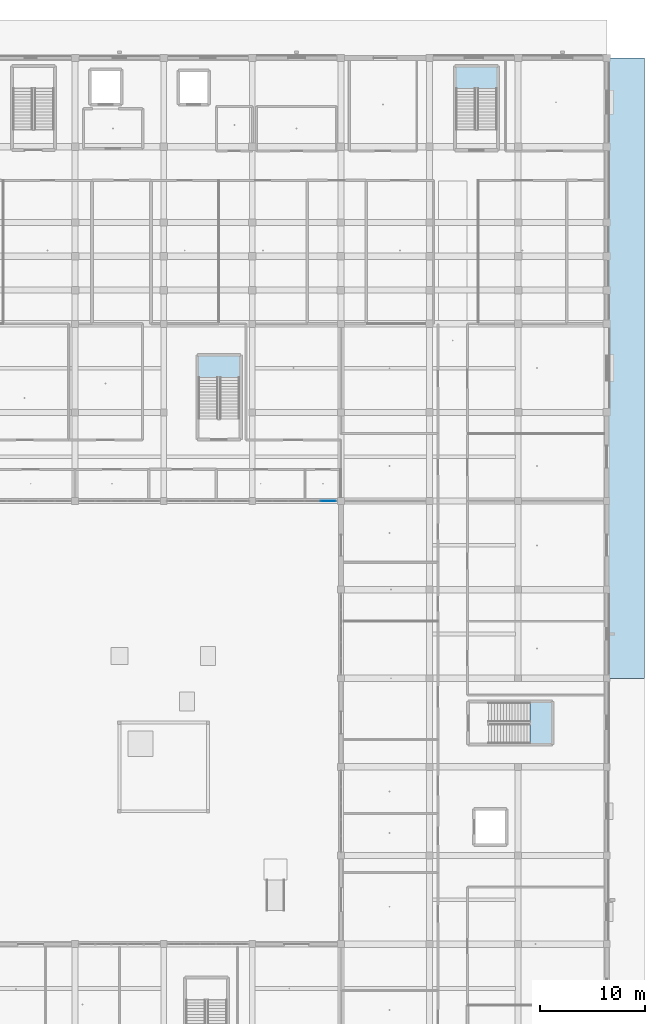
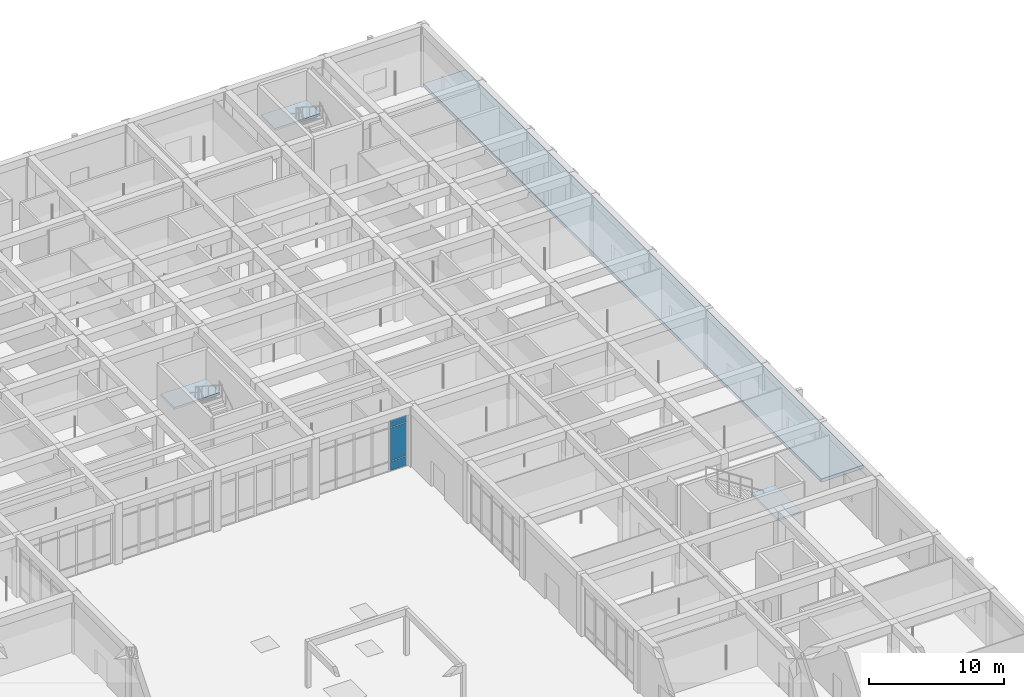
# One storey, part 59 of 167: 4 slabs, 3 plates, 4 elements without a shape of their own.
"""IFC4 building model written with IfcOpenShell, lengths in metres."""

from ifc_helpers import new_model, si_unit, direction, frame, origin, origin_2d, place, context, subcontext, project, spatial, polyline, rectangle, outline, extrude, material, layer, layer_set, type_object, element, aggregate, save


model = new_model("IFC4")

# Units and contexts
model_context = context("Model", 3, precision=1e-05, world=origin(), true_north=direction((0.0, 1.0)))
body_context = subcontext(model_context, "Body", "Model", "MODEL_VIEW")
ifc_project = project(units=[si_unit("LENGTHUNIT", "METRE"), si_unit("AREAUNIT", "SQUARE_METRE"), si_unit("VOLUMEUNIT", "CUBIC_METRE"), si_unit("PLANEANGLEUNIT", "RADIAN"), si_unit("MASSUNIT", "GRAM", prefix="KILO")], contexts=[model_context])

# Site, building, storey
site_placement = place(None, origin())
site = spatial("IfcSite", under=ifc_project, at=site_placement, CompositionType="ELEMENT")
building_placement = place(site_placement, origin())
building = spatial("IfcBuilding", under=site, at=building_placement, Name="Varncliffe General Hospital", CompositionType="ELEMENT")
storey_placement = place(building_placement, origin())
storey = spatial("IfcBuildingStorey", under=building, at=storey_placement, Name="L00", CompositionType="ELEMENT", Elevation=0.0)

# Curtain wall, plates
ifc_material_1 = material(Name="Triple low-E argon insulated vision glazing", Category="glass")
curtain_wall_type = type_object("IfcCurtainWallType", Name="Unitised Glazed Curtain Wall CW26 (7594x4640)", PredefinedType="USERDEFINED", material=ifc_material_1)
curtain_wall_placement = place(storey_placement, origin())
curtain_wall = element("IfcCurtainWall", 1, at=curtain_wall_placement, inside=storey, type_object=curtain_wall_type, Name="L00 Glazed Curtain Wall CW26-32", ObjectType="GLAZED CURTAIN WALL", PredefinedType="USERDEFINED")
ifc_layer_1 = layer(ifc_material_1, 0.0439453125)
ifc_layer_set_1 = layer_set([ifc_layer_1], Name="Triple low-E argon insulated vision glazing")
plate_type = type_object("IfcPlateType", Name="Curtain Wall Glazing Panel CP12 (44mm)", PredefinedType="CURTAIN_PANEL", material=ifc_layer_set_1)
plate_1_placement = place(storey_placement, frame((150.021240234375, 82.800048828125, 0.06005859375), z_axis=(0.0, 0.0, 1.0), x_axis=(-1.0, 0.0, 0.0)))
plate_1 = element("IfcPlate", 2, at=plate_1_placement, type_object=plate_type, Name="CW26 panel 1.1", PredefinedType="CURTAIN_PANEL", context=body_context, shape_type="SweptSolid", body=[
    extrude(rectangle(XDim=1.42138671875, YDim=0.0439453125, at=origin_2d()), origin(), (0.0, 0.0, 1.0), 0.81005859375),
])
plate_2_placement = place(storey_placement, frame((150.021240234375, 82.800048828125, 0.929931640625), z_axis=(0.0, 0.0, 1.0), x_axis=(-1.0, 0.0, 0.0)))
plate_2 = element("IfcPlate", 3, at=plate_2_placement, type_object=plate_type, Name="CW26 panel 1.2", PredefinedType="CURTAIN_PANEL", context=body_context, shape_type="SweptSolid", body=[
    extrude(rectangle(XDim=1.42138671875, YDim=0.0439453125, at=origin_2d()), origin(), (0.0, 0.0, 1.0), 2.97998046875),
])
plate_3_placement = place(storey_placement, frame((150.021240234375, 82.800048828125, 3.9697265625), z_axis=(0.0, 0.0, 1.0), x_axis=(-1.0, 0.0, 0.0)))
plate_3 = element("IfcPlate", 4, at=plate_3_placement, type_object=plate_type, Name="CW26 panel 1.3", PredefinedType="CURTAIN_PANEL", context=body_context, shape_type="SweptSolid", body=[
    extrude(rectangle(XDim=1.42138671875, YDim=0.0439453125, at=origin_2d()), origin(), (0.0, 0.0, 1.0), 0.610107421875),
])
aggregate(curtain_wall, [plate_1, plate_2, plate_3])

# Slab
ifc_material_2 = material(Name="Concrete C35/45 (CSA A23.1 35 MPa)", Category="concrete")
ifc_layer_2 = layer(ifc_material_2, 0.300048828125)
ifc_layer_set_2 = layer_set([ifc_layer_2], Name="Concrete C35/45 (CSA A23.1 35 MPa)")
slab_type_1 = type_object("IfcSlabType", Name="Floor Slab SL54 (Ext 300mm)", PredefinedType="FLOOR", material=ifc_layer_set_2)
slab_1_placement = place(storey_placement, frame((0.0, 0.0, -0.300048828125)))
element("IfcSlab", 5, at=slab_1_placement, inside=storey, type_object=slab_type_1, Name="L00 East Cloister North Street Walkway", PredefinedType="FLOOR", context=body_context, shape_type="SweptSolid", body=[
    extrude(outline(polyline([(176.39990234375, 66.0), (180.0, 66.0), (180.0, 124.800048828125), (176.39990234375, 124.800048828125), (176.39990234375, 66.0)])), origin(), (0.0, 0.0, 1.0), 0.300048828125),
])

# Stair, slab
stair_type = type_object("IfcStairType", Name="Hospital Stair Assembly ST-T02 (1850w-5400h)", PredefinedType="TWO_STRAIGHT_RUN_STAIR", material=ifc_material_2)
stair_1_placement = place(storey_placement, origin())
stair_1 = element("IfcStair", 6, at=stair_1_placement, inside=storey, type_object=stair_type, Name="L00 North-East Ward Exit Stair 4", PredefinedType="TWO_STRAIGHT_RUN_STAIR")
ifc_layer_3 = layer(ifc_material_2, 0.199951171875)
ifc_layer_set_3 = layer_set([ifc_layer_3], Name="Concrete C35/45 (CSA A23.1 35 MPa)")
slab_type_2 = type_object("IfcSlabType", Name="Reinforced Concrete Stair Landing LND50 (200mm)", PredefinedType="LANDING", material=ifc_layer_set_3)
slab_2_placement = place(storey_placement, frame((0.0, 0.0, 2.5)))
slab_2 = element("IfcSlab", 7, at=slab_2_placement, type_object=slab_type_2, Name="ST04 landing 1", PredefinedType="LANDING", context=body_context, shape_type="SweptSolid", body=[
    extrude(outline(polyline([(166.0, 121.919921875), (166.0, 123.949951171875), (162.10009765625, 123.949951171875), (162.10009765625, 121.919921875), (166.0, 121.919921875)])), origin(), (0.0, 0.0, 1.0), 0.199951171875),
])
aggregate(stair_1, [slab_2])

stair_2_placement = place(storey_placement, origin())
stair_2 = element("IfcStair", 8, at=stair_2_placement, inside=storey, type_object=stair_type, Name="L00 Outpatient East Exit Stair 7", PredefinedType="TWO_STRAIGHT_RUN_STAIR")
slab_3_placement = place(storey_placement, frame((0.0, 0.0, 2.5)))
slab_3 = element("IfcSlab", 9, at=slab_3_placement, type_object=slab_type_2, Name="ST07 landing 1", PredefinedType="LANDING", context=body_context, shape_type="SweptSolid", body=[
    extrude(outline(polyline([(169.1201171875, 59.800048828125), (171.14990234375, 59.800048828125), (171.14990234375, 63.699951171875), (169.1201171875, 63.699951171875), (169.1201171875, 59.800048828125)])), origin(), (0.0, 0.0, 1.0), 0.199951171875),
])
aggregate(stair_2, [slab_3])

stair_3_placement = place(storey_placement, origin())
stair_3 = element("IfcStair", 10, at=stair_3_placement, inside=storey, type_object=stair_type, Name="L00 East-Central Clinical Exit Stair 14", PredefinedType="TWO_STRAIGHT_RUN_STAIR")
slab_4_placement = place(storey_placement, frame((0.0, 0.0, 2.5)))
slab_4 = element("IfcSlab", 11, at=slab_4_placement, type_object=slab_type_2, Name="ST14 landing 1", PredefinedType="LANDING", context=body_context, shape_type="SweptSolid", body=[
    extrude(outline(polyline([(141.60009765625, 94.52001953125), (141.60009765625, 96.550048828125), (137.699951171875, 96.550048828125), (137.699951171875, 94.52001953125), (141.60009765625, 94.52001953125)])), origin(), (0.0, 0.0, 1.0), 0.199951171875),
])
aggregate(stair_3, [slab_4])

save(model, "model.ifc")
